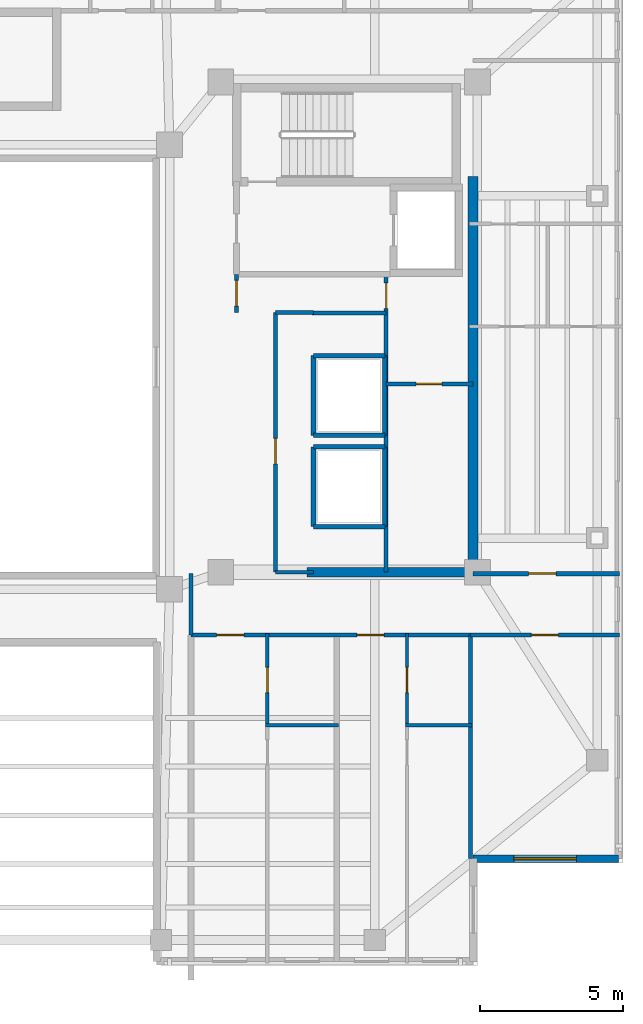
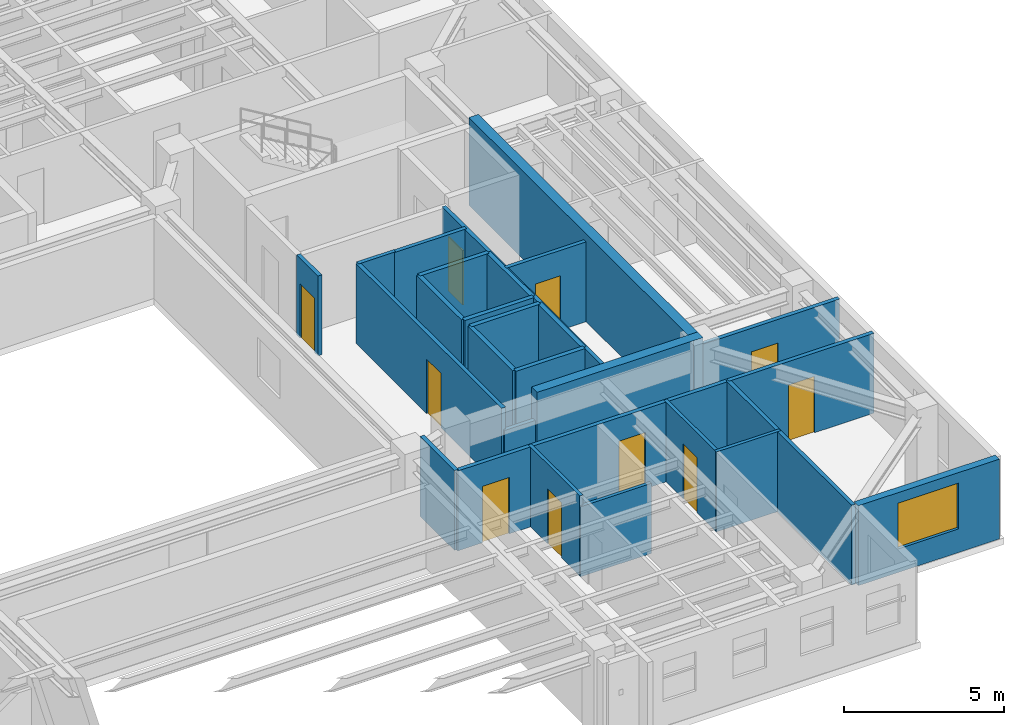
# One storey, part 7 of 13: 27 walls, 10 doors, 1 window, 11 openings.
"""IFC4 building model written with IfcOpenShell, lengths in metres."""

from ifc_helpers import new_model, si_unit, direction, frame, frame_2d, origin, place, context, subcontext, project, spatial, rectangle, extrude, material, layer, layer_set, type_object, element, fill, save


model = new_model("IFC4")

# Units and contexts
model_context = context("Model", 3, precision=1e-05, world=origin(), true_north=direction((0.0, 1.0)))
body_context = subcontext(model_context, "Body", "Model", "MODEL_VIEW")
ifc_project = project(units=[si_unit("LENGTHUNIT", "METRE"), si_unit("AREAUNIT", "SQUARE_METRE"), si_unit("VOLUMEUNIT", "CUBIC_METRE"), si_unit("PLANEANGLEUNIT", "RADIAN"), si_unit("MASSUNIT", "GRAM", prefix="KILO")], contexts=[model_context])

# Site, building, storey
site_placement = place(None, origin())
site = spatial("IfcSite", under=ifc_project, at=site_placement, CompositionType="ELEMENT")
building_placement = place(site_placement, origin())
building = spatial("IfcBuilding", under=site, at=building_placement, Name="Tarnavaz Court Tower", CompositionType="ELEMENT")
storey_placement = place(building_placement, frame((0.0, 0.0, 223.75)))
storey = spatial("IfcBuildingStorey", under=building, at=storey_placement, Name="L61", CompositionType="ELEMENT", Elevation=223.75)

# Walls
ifc_material_1 = material(Name="Concrete C50/60", Category="concrete")
ifc_layer_1 = layer(ifc_material_1, 0.35009765625)
ifc_layer_set_1 = layer_set([ifc_layer_1], Name="Concrete C50/60")
wall_type_1 = type_object("IfcWallType", Name="WL-CORE-350-C50", PredefinedType="SHEAR", material=ifc_layer_set_1)
wall_1_placement = place(storey_placement, frame((18.449951171875, -7.375, 0.0), z_axis=(0.0, 0.0, 1.0), x_axis=(0.0, 1.0, 0.0)))
element("IfcWall", 1, at=wall_1_placement, inside=storey, type_object=wall_type_1, Name="L61 East Core Shear Wall 047", PredefinedType="SHEAR", context=body_context, shape_type="SweptSolid", body=[
    extrude(rectangle(XDim=14.050048828125, YDim=0.35009765625, at=frame_2d((7.02490234375, 0.0))), origin(), (0.0, 0.0, 1.0), 3.35009765625),
])
wall_2_placement = place(storey_placement, frame((12.625, -7.199951171875, 0.0), z_axis=(0.0, 0.0, 1.0), x_axis=(1.0, 0.0, 0.0)))
element("IfcWall", 2, at=wall_2_placement, inside=storey, type_object=wall_type_1, Name="L61 East Core South Shear Wall 048", PredefinedType="SHEAR", context=body_context, shape_type="SweptSolid", body=[
    extrude(rectangle(XDim=6.0, YDim=0.35009765625, at=frame_2d((3.0, 0.0))), origin(), (0.0, 0.0, 1.0), 3.35009765625),
])

# Wall, opening, window
ifc_material_2 = material(Name="Precast Concrete C40/50", Category="concrete")
ifc_layer_2 = layer(ifc_material_2, 0.260009765625)
ifc_layer_set_2 = layer_set([ifc_layer_2], Name="Precast Concrete C40/50")
wall_type_2 = type_object("IfcWallType", Name="WL-EXT-260", PredefinedType="SOLIDWALL", material=ifc_layer_set_2)
wall_3_placement = place(storey_placement, frame((23.550048828125, -17.25, 0.0), z_axis=(0.0, 0.0, 1.0), x_axis=(-1.0, 0.0, 0.0)))
wall_3 = element("IfcWall", 3, at=wall_3_placement, inside=storey, type_object=wall_type_2, Name="L61 Exterior Terracotta Facade Wall 13", PredefinedType="SOLIDWALL", context=body_context, shape_type="SweptSolid", body=[
    extrude(rectangle(XDim=5.10009765625, YDim=0.260009765625, at=frame_2d((2.550048828125, 0.0))), origin(), (0.0, 0.0, 1.0), 3.050048828125),
])
opening_1_placement = place(wall_3_placement, frame((1.47509765625, 0.0, 0.89990234375)))
opening_1 = element("IfcOpeningElement", 4, at=opening_1_placement, cuts=wall_3, Name="Opening W07", PredefinedType="OPENING", context=body_context, shape_type="SweptSolid", body=[
    extrude(rectangle(XDim=2.199951171875, YDim=1.75, at=frame_2d((1.10009765625, 0.875))), frame((0.0, 0.139892578125, 0.0), z_axis=(0.0, -1.0, 0.0), x_axis=(1.0, 0.0, 0.0)), (0.0, 0.0, 1.0), 0.280029296875),
])
ifc_material_3 = material(Name="Double-Glazed Solar Low-E Glass", Category="glass")
window_type = type_object("IfcWindowType", Name="WN-APT-2200", PartitioningType="TRIPLE_PANEL_VERTICAL", PredefinedType="WINDOW", material=ifc_material_3)
window_placement = place(opening_1_placement, origin())
window = element("IfcWindow", 5, at=window_placement, inside=storey, type_object=window_type, Name="L61 South-East Corner Reading Room Window", OverallHeight=1.75, OverallWidth=2.199951171875, PartitioningType="SINGLE_PANEL", PredefinedType="WINDOW", context=body_context, shape_type="SweptSolid", body=[
    extrude(rectangle(XDim=2.199951171875, YDim=1.75, at=frame_2d((1.10009765625, 0.875))), frame((0.0, 0.030029296875, 0.0), z_axis=(0.0, -1.0, 0.0), x_axis=(1.0, 0.0, 0.0)), (0.0, 0.0, 1.0), 0.06005859375),
])
fill(opening_1, window)

# Wall, openings, doors
ifc_material_4 = material(Name="Gypsum Fire-Board on Acoustic Metal Stud", Category="masonry")
ifc_layer_3 = layer(ifc_material_4, 0.14990234375)
ifc_layer_set_3 = layer_set([ifc_layer_3], Name="Gypsum Fire-Board on Acoustic Metal Stud")
wall_type_3 = type_object("IfcWallType", Name="WL-FIRE-150", PredefinedType="PARTITIONING", material=ifc_layer_set_3)
wall_4_placement = place(storey_placement, frame((8.550048828125, -9.39990234375, 0.0), z_axis=(0.0, 0.0, 1.0), x_axis=(1.0, 0.0, 0.0)))
wall_4 = element("IfcWall", 6, at=wall_4_placement, inside=storey, type_object=wall_type_3, Name="L61 SE Lobby Wall 061", PredefinedType="PARTITIONING", context=body_context, shape_type="SweptSolid", body=[
    extrude(rectangle(XDim=9.800048828125, YDim=0.14990234375, at=frame_2d((4.89990234375, 0.0))), origin(), (0.0, 0.0, 1.0), 3.050048828125),
])
opening_2_placement = place(wall_4_placement, frame((0.89990234375, 0.0, 0.0)))
opening_2 = element("IfcOpeningElement", 7, at=opening_2_placement, cuts=wall_4, Name="Opening D06", PredefinedType="OPENING", context=body_context, shape_type="SweptSolid", body=[
    extrude(rectangle(XDim=0.9599609375, YDim=2.14990234375, at=frame_2d((0.47998046875, 1.074951171875))), frame((0.0, 0.0849609375, 0.0), z_axis=(0.0, -1.0, 0.0), x_axis=(1.0, 0.0, 0.0)), (0.0, 0.0, 1.0), 0.169921875),
])
opening_3_placement = place(wall_4_placement, frame((5.820068359375, 0.0, 0.0)))
opening_3 = element("IfcOpeningElement", 8, at=opening_3_placement, cuts=wall_4, Name="Opening D06", PredefinedType="OPENING", context=body_context, shape_type="SweptSolid", body=[
    extrude(rectangle(XDim=0.9599609375, YDim=2.14990234375, at=frame_2d((0.47998046875, 1.074951171875))), frame((0.0, 0.0849609375, 0.0), z_axis=(0.0, -1.0, 0.0), x_axis=(1.0, 0.0, 0.0)), (0.0, 0.0, 1.0), 0.169921875),
])
ifc_material_5 = material(Name="Fire-Rated Hardwood Timber Core", Category="wood")
door_type_1 = type_object("IfcDoorType", Name="DR-FD60-950", OperationType="NOTDEFINED", PredefinedType="DOOR", material=ifc_material_5)
door_1_placement = place(opening_2_placement, origin())
door_1 = element("IfcDoor", 9, at=door_1_placement, inside=storey, type_object=door_type_1, Name="L61 Flat 07 Entrance Door", OperationType="SINGLE_SWING_RIGHT", OverallHeight=2.14990234375, OverallWidth=0.9599609375, PredefinedType="DOOR", context=body_context, shape_type="SweptSolid", body=[
    extrude(rectangle(XDim=0.9599609375, YDim=2.14990234375, at=frame_2d((0.47998046875, 1.074951171875))), frame((0.0, 0.02490234375, 0.0), z_axis=(0.0, -1.0, 0.0), x_axis=(1.0, 0.0, 0.0)), (0.0, 0.0, 1.0), 0.050048828125),
])
fill(opening_2, door_1)
door_2_placement = place(opening_3_placement, origin())
door_2 = element("IfcDoor", 10, at=door_2_placement, inside=storey, type_object=door_type_1, Name="L61 Flat 08 Entrance Door", OperationType="SINGLE_SWING_LEFT", OverallHeight=2.14990234375, OverallWidth=0.9599609375, PredefinedType="DOOR", context=body_context, shape_type="SweptSolid", body=[
    extrude(rectangle(XDim=0.9599609375, YDim=2.14990234375, at=frame_2d((0.47998046875, 1.074951171875))), frame((0.0, 0.02490234375, 0.0), z_axis=(0.0, -1.0, 0.0), x_axis=(1.0, 0.0, 0.0)), (0.0, 0.0, 1.0), 0.050048828125),
])
fill(opening_3, door_2)

# Wall
wall_5_placement = place(storey_placement, frame((8.550048828125, -9.39990234375, 0.0), z_axis=(0.0, 0.0, 1.0), x_axis=(0.0, 1.0, 0.0)))
element("IfcWall", 11, at=wall_5_placement, inside=storey, type_object=wall_type_3, Name="L61 East Spine End Wall 063", PredefinedType="PARTITIONING", context=body_context, shape_type="SweptSolid", body=[
    extrude(rectangle(XDim=2.14990234375, YDim=0.14990234375, at=frame_2d((1.074951171875, 0.0))), origin(), (0.0, 0.0, 1.0), 3.050048828125),
])

# Wall, opening, door
wall_6_placement = place(storey_placement, frame((18.449951171875, -7.25, 0.0), z_axis=(0.0, 0.0, 1.0), x_axis=(1.0, 0.0, 0.0)))
wall_6 = element("IfcWall", 12, at=wall_6_placement, inside=storey, type_object=wall_type_3, Name="L61 Interior Partition 101", PredefinedType="PARTITIONING", context=body_context, shape_type="SweptSolid", body=[
    extrude(rectangle(XDim=5.130126953125, YDim=0.14990234375, at=frame_2d((2.56494140625, 0.0))), origin(), (0.0, 0.0, 1.0), 3.050048828125),
])
opening_4_placement = place(wall_6_placement, frame((1.949951171875, 0.0, 0.0)))
opening_4 = element("IfcOpeningElement", 13, at=opening_4_placement, cuts=wall_6, Name="Opening D06", PredefinedType="OPENING", context=body_context, shape_type="SweptSolid", body=[
    extrude(rectangle(XDim=0.9599609375, YDim=2.14990234375, at=frame_2d((0.47998046875, 1.074951171875))), frame((0.0, 0.0849609375, 0.0), z_axis=(0.0, -1.0, 0.0), x_axis=(1.0, 0.0, 0.0)), (0.0, 0.0, 1.0), 0.169921875),
])
door_3_placement = place(opening_4_placement, origin())
door_3 = element("IfcDoor", 14, at=door_3_placement, inside=storey, type_object=door_type_1, Name="L61 Flat 10 Entrance Door", OperationType="SINGLE_SWING_RIGHT", OverallHeight=2.14990234375, OverallWidth=0.9599609375, PredefinedType="DOOR", context=body_context, shape_type="SweptSolid", body=[
    extrude(rectangle(XDim=0.9599609375, YDim=2.14990234375, at=frame_2d((0.47998046875, 1.074951171875))), frame((0.0, 0.02490234375, 0.0), z_axis=(0.0, -1.0, 0.0), x_axis=(1.0, 0.0, 0.0)), (0.0, 0.0, 1.0), 0.050048828125),
])
fill(opening_4, door_3)

wall_7_placement = place(storey_placement, frame((18.35009765625, -9.39990234375, 0.0), z_axis=(0.0, 0.0, 1.0), x_axis=(1.0, 0.0, 0.0)))
wall_7 = element("IfcWall", 15, at=wall_7_placement, inside=storey, type_object=wall_type_3, Name="L61 Interior Partition 110", PredefinedType="PARTITIONING", context=body_context, shape_type="SweptSolid", body=[
    extrude(rectangle(XDim=5.22998046875, YDim=0.14990234375, at=frame_2d((2.614990234375, 0.0))), origin(), (0.0, 0.0, 1.0), 3.050048828125),
])
opening_5_placement = place(wall_7_placement, frame((2.139892578125, 0.0, 0.0)))
opening_5 = element("IfcOpeningElement", 16, at=opening_5_placement, cuts=wall_7, Name="Opening D13", PredefinedType="OPENING", context=body_context, shape_type="SweptSolid", body=[
    extrude(rectangle(XDim=0.949951171875, YDim=2.14990234375, at=frame_2d((0.47509765625, 1.074951171875))), frame((0.0, 0.0849609375, 0.0), z_axis=(0.0, -1.0, 0.0), x_axis=(1.0, 0.0, 0.0)), (0.0, 0.0, 1.0), 0.169921875),
])
ifc_material_6 = material(Name="Engineered Oak Timber", Category="wood")
door_type_2 = type_object("IfcDoorType", Name="DR-INT-950", OperationType="NOTDEFINED", PredefinedType="DOOR", material=ifc_material_6)
door_4_placement = place(opening_5_placement, origin())
door_4 = element("IfcDoor", 17, at=door_4_placement, inside=storey, type_object=door_type_2, Name="L61 SE Reading Room Door", OperationType="SINGLE_SWING_LEFT", OverallHeight=2.14990234375, OverallWidth=0.949951171875, PredefinedType="DOOR", context=body_context, shape_type="SweptSolid", body=[
    extrude(rectangle(XDim=0.949951171875, YDim=2.14990234375, at=frame_2d((0.47509765625, 1.074951171875))), frame((0.0, 0.02490234375, 0.0), z_axis=(0.0, -1.0, 0.0), x_axis=(1.0, 0.0, 0.0)), (0.0, 0.0, 1.0), 0.050048828125),
])
fill(opening_5, door_4)

ifc_material_7 = material(Name="Moisture-Resistant Gypsum Board Partition", Category="masonry")
ifc_layer_4 = layer(ifc_material_7, 0.1201171875)
ifc_layer_set_4 = layer_set([ifc_layer_4], Name="Moisture-Resistant Gypsum Board Partition")
wall_type_4 = type_object("IfcWallType", Name="WL-PART-120", PredefinedType="PARTITIONING", material=ifc_layer_set_4)
wall_8_placement = place(storey_placement, frame((11.23388671875, -12.56005859375, 0.0), z_axis=(0.0, 0.0, 1.0), x_axis=(0.0, 1.0, 0.0)))
wall_8 = element("IfcWall", 18, at=wall_8_placement, inside=storey, type_object=wall_type_4, Name="L61 Interior Partition 092", PredefinedType="PARTITIONING", context=body_context, shape_type="SweptSolid", body=[
    extrude(rectangle(XDim=3.219970703125, YDim=0.1201171875, at=frame_2d((1.60986328125, 0.0))), origin(), (0.0, 0.0, 1.0), 3.050048828125),
])
opening_6_placement = place(wall_8_placement, frame((1.139892578125, 0.0, 0.0)))
opening_6 = element("IfcOpeningElement", 19, at=opening_6_placement, cuts=wall_8, Name="Opening D14", PredefinedType="OPENING", context=body_context, shape_type="SweptSolid", body=[
    extrude(rectangle(XDim=0.8798828125, YDim=2.10009765625, at=frame_2d((0.43994140625, 1.050048828125))), frame((0.0, 0.070068359375, 0.0), z_axis=(0.0, -1.0, 0.0), x_axis=(1.0, 0.0, 0.0)), (0.0, 0.0, 1.0), 0.14013671875),
])
door_type_3 = type_object("IfcDoorType", Name="DR-INT-900", OperationType="NOTDEFINED", PredefinedType="DOOR", material=ifc_material_6)
door_5_placement = place(opening_6_placement, origin())
door_5 = element("IfcDoor", 20, at=door_5_placement, inside=storey, type_object=door_type_3, Name="L61 Flat 07 Bathroom Door", OperationType="SINGLE_SWING_RIGHT", OverallHeight=2.10009765625, OverallWidth=0.8798828125, PredefinedType="DOOR", context=body_context, shape_type="SweptSolid", body=[
    extrude(rectangle(XDim=0.8798828125, YDim=2.10009765625, at=frame_2d((0.43994140625, 1.050048828125))), frame((0.0, 0.02490234375, 0.0), z_axis=(0.0, -1.0, 0.0), x_axis=(1.0, 0.0, 0.0)), (0.0, 0.0, 1.0), 0.050048828125),
])
fill(opening_6, door_5)

# Wall
wall_9_placement = place(storey_placement, frame((11.174072265625, -12.56005859375, 0.0), z_axis=(0.0, 0.0, 1.0), x_axis=(1.0, 0.0, 0.0)))
element("IfcWall", 21, at=wall_9_placement, inside=storey, type_object=wall_type_4, Name="L61 Interior Partition 093", PredefinedType="PARTITIONING", context=body_context, shape_type="SweptSolid", body=[
    extrude(rectangle(XDim=2.555908203125, YDim=0.1201171875, at=frame_2d((1.27783203125, 0.0))), origin(), (0.0, 0.0, 1.0), 2.675048828125),
])

# Wall, opening, door
wall_10_placement = place(storey_placement, frame((16.1298828125, -12.56005859375, 0.0), z_axis=(0.0, 0.0, 1.0), x_axis=(0.0, 1.0, 0.0)))
wall_10 = element("IfcWall", 22, at=wall_10_placement, inside=storey, type_object=wall_type_4, Name="L61 Interior Partition 095", PredefinedType="PARTITIONING", context=body_context, shape_type="SweptSolid", body=[
    extrude(rectangle(XDim=3.219970703125, YDim=0.1201171875, at=frame_2d((1.60986328125, 0.0))), origin(), (0.0, 0.0, 1.0), 3.050048828125),
])
opening_7_placement = place(wall_10_placement, frame((1.139892578125, 0.0, 0.0)))
opening_7 = element("IfcOpeningElement", 23, at=opening_7_placement, cuts=wall_10, Name="Opening D14", PredefinedType="OPENING", context=body_context, shape_type="SweptSolid", body=[
    extrude(rectangle(XDim=0.8798828125, YDim=2.10009765625, at=frame_2d((0.43994140625, 1.050048828125))), frame((0.0, 0.070068359375, 0.0), z_axis=(0.0, -1.0, 0.0), x_axis=(1.0, 0.0, 0.0)), (0.0, 0.0, 1.0), 0.14013671875),
])
door_6_placement = place(opening_7_placement, origin())
door_6 = element("IfcDoor", 24, at=door_6_placement, inside=storey, type_object=door_type_3, Name="L61 Flat 08 Bathroom Door", OperationType="SINGLE_SWING_LEFT", OverallHeight=2.10009765625, OverallWidth=0.8798828125, PredefinedType="DOOR", context=body_context, shape_type="SweptSolid", body=[
    extrude(rectangle(XDim=0.8798828125, YDim=2.10009765625, at=frame_2d((0.43994140625, 1.050048828125))), frame((0.0, 0.02490234375, 0.0), z_axis=(0.0, -1.0, 0.0), x_axis=(1.0, 0.0, 0.0)), (0.0, 0.0, 1.0), 0.050048828125),
])
fill(opening_7, door_6)

# Walls
wall_11_placement = place(storey_placement, frame((16.070068359375, -12.56005859375, 0.0), z_axis=(0.0, 0.0, 1.0), x_axis=(1.0, 0.0, 0.0)))
element("IfcWall", 25, at=wall_11_placement, inside=storey, type_object=wall_type_4, Name="L61 Interior Partition 096", PredefinedType="PARTITIONING", context=body_context, shape_type="SweptSolid", body=[
    extrude(rectangle(XDim=2.33984375, YDim=0.1201171875, at=frame_2d((1.169921875, 0.0))), origin(), (0.0, 0.0, 1.0), 3.050048828125),
])
ifc_material_8 = material(Name="Gypsum Plasterboard Acoustic Partition", Category="masonry")
ifc_layer_5 = layer(ifc_material_8, 0.139892578125)
ifc_layer_set_5 = layer_set([ifc_layer_5], Name="Gypsum Plasterboard Acoustic Partition")
wall_type_5 = type_object("IfcWallType", Name="WL-PART-150", PredefinedType="PARTITIONING", material=ifc_layer_set_5)
wall_12_placement = place(storey_placement, frame((12.800048828125, 1.89990234375, 0.0), z_axis=(0.0, 0.0, 1.0), x_axis=(1.0, 0.0, 0.0)))
element("IfcWall", 26, at=wall_12_placement, inside=storey, type_object=wall_type_5, Name="L61 Interior Partition 051", PredefinedType="PARTITIONING", context=body_context, shape_type="SweptSolid", body=[
    extrude(rectangle(XDim=2.599853515625, YDim=0.139892578125, at=frame_2d((1.2998046875, 0.0))), origin(), (0.0, 0.0, 1.0), 3.050048828125),
])

# Wall, opening, door
wall_13_placement = place(storey_placement, frame((10.14990234375, 1.919921875, 0.0), z_axis=(0.0, 0.0, 1.0), x_axis=(0.0, 1.0, 0.0)))
wall_13 = element("IfcWall", 27, at=wall_13_placement, inside=storey, type_object=wall_type_5, Name="L61 Interior Partition 052", PredefinedType="PARTITIONING", context=body_context, shape_type="SweptSolid", body=[
    extrude(rectangle(XDim=1.330078125, YDim=0.139892578125, at=frame_2d((0.6650390625, 0.0))), origin(), (0.0, 0.0, 1.0), 3.050048828125),
])
opening_8_placement = place(wall_13_placement, frame((0.219970703125, 0.0, 0.0)))
opening_8 = element("IfcOpeningElement", 28, at=opening_8_placement, cuts=wall_13, Name="Opening D09", PredefinedType="OPENING", context=body_context, shape_type="SweptSolid", body=[
    extrude(rectangle(XDim=0.89990234375, YDim=2.080078125, at=frame_2d((0.449951171875, 1.0400390625))), frame((0.0, 0.079833984375, 0.0), z_axis=(0.0, -1.0, 0.0), x_axis=(1.0, 0.0, 0.0)), (0.0, 0.0, 1.0), 0.159912109375),
])
door_type_4 = type_object("IfcDoorType", Name="DR-FD30-900", OperationType="NOTDEFINED", PredefinedType="DOOR", material=ifc_material_5)
door_7_placement = place(opening_8_placement, origin())
door_7 = element("IfcDoor", 29, at=door_7_placement, inside=storey, type_object=door_type_4, Name="L61 East Core Service Lobby Door", OperationType="SINGLE_SWING_RIGHT", OverallHeight=2.080078125, OverallWidth=0.89990234375, PredefinedType="DOOR", context=body_context, shape_type="SweptSolid", body=[
    extrude(rectangle(XDim=0.89990234375, YDim=2.080078125, at=frame_2d((0.449951171875, 1.0400390625))), frame((0.0, 0.02490234375, 0.0), z_axis=(0.0, -1.0, 0.0), x_axis=(1.0, 0.0, 0.0)), (0.0, 0.0, 1.0), 0.050048828125),
])
fill(opening_8, door_7)

wall_14_placement = place(storey_placement, frame((15.39990234375, -7.199951171875, 0.0), z_axis=(0.0, 0.0, 1.0), x_axis=(0.0, 1.0, 0.0)))
wall_14 = element("IfcWall", 30, at=wall_14_placement, inside=storey, type_object=wall_type_5, Name="L61 Interior Partition 053", PredefinedType="PARTITIONING", context=body_context, shape_type="SweptSolid", body=[
    extrude(rectangle(XDim=10.449951171875, YDim=0.139892578125, at=frame_2d((5.22509765625, 0.0))), origin(), (0.0, 0.0, 1.0), 3.050048828125),
])
opening_9_placement = place(wall_14_placement, frame((9.25, 0.0, 0.0)))
opening_9 = element("IfcOpeningElement", 31, at=opening_9_placement, cuts=wall_14, Name="Opening D09", PredefinedType="OPENING", context=body_context, shape_type="SweptSolid", body=[
    extrude(rectangle(XDim=0.89990234375, YDim=2.080078125, at=frame_2d((0.449951171875, 1.0400390625))), frame((0.0, 0.079833984375, 0.0), z_axis=(0.0, -1.0, 0.0), x_axis=(1.0, 0.0, 0.0)), (0.0, 0.0, 1.0), 0.159912109375),
])
door_8_placement = place(opening_9_placement, origin())
door_8 = element("IfcDoor", 32, at=door_8_placement, inside=storey, type_object=door_type_4, Name="L61 East Wet Riser Door", OperationType="SINGLE_SWING_LEFT", OverallHeight=2.080078125, OverallWidth=0.89990234375, PredefinedType="DOOR", context=body_context, shape_type="SweptSolid", body=[
    extrude(rectangle(XDim=0.89990234375, YDim=2.080078125, at=frame_2d((0.449951171875, 1.0400390625))), frame((0.0, 0.02490234375, 0.0), z_axis=(0.0, -1.0, 0.0), x_axis=(1.0, 0.0, 0.0)), (0.0, 0.0, 1.0), 0.050048828125),
])
fill(opening_9, door_8)

wall_15_placement = place(storey_placement, frame((15.39990234375, -0.590087890625, 0.0), z_axis=(0.0, 0.0, 1.0), x_axis=(1.0, 0.0, 0.0)))
wall_15 = element("IfcWall", 33, at=wall_15_placement, inside=storey, type_object=wall_type_5, Name="L61 Interior Partition 054", PredefinedType="PARTITIONING", context=body_context, shape_type="SweptSolid", body=[
    extrude(rectangle(XDim=3.050048828125, YDim=0.139892578125, at=frame_2d((1.52490234375, 0.0))), origin(), (0.0, 0.0, 1.0), 3.050048828125),
])
opening_10_placement = place(wall_15_placement, frame((1.050048828125, 0.0, 0.0)))
opening_10 = element("IfcOpeningElement", 34, at=opening_10_placement, cuts=wall_15, Name="Opening D09", PredefinedType="OPENING", context=body_context, shape_type="SweptSolid", body=[
    extrude(rectangle(XDim=0.89990234375, YDim=2.080078125, at=frame_2d((0.449951171875, 1.0400390625))), frame((0.0, 0.079833984375, 0.0), z_axis=(0.0, -1.0, 0.0), x_axis=(1.0, 0.0, 0.0)), (0.0, 0.0, 1.0), 0.159912109375),
])
door_9_placement = place(opening_10_placement, origin())
door_9 = element("IfcDoor", 35, at=door_9_placement, inside=storey, type_object=door_type_4, Name="L61 East Electrical Plant Door", OperationType="SINGLE_SWING_RIGHT", OverallHeight=2.080078125, OverallWidth=0.89990234375, PredefinedType="DOOR", context=body_context, shape_type="SweptSolid", body=[
    extrude(rectangle(XDim=0.89990234375, YDim=2.080078125, at=frame_2d((0.449951171875, 1.0400390625))), frame((0.0, 0.02490234375, 0.0), z_axis=(0.0, -1.0, 0.0), x_axis=(1.0, 0.0, 0.0)), (0.0, 0.0, 1.0), 0.050048828125),
])
fill(opening_10, door_9)

wall_16_placement = place(storey_placement, frame((11.52001953125, -7.199951171875, 0.0), z_axis=(0.0, 0.0, 1.0), x_axis=(0.0, 1.0, 0.0)))
wall_16 = element("IfcWall", 36, at=wall_16_placement, inside=storey, type_object=wall_type_5, Name="L61 Interior Partition 055", PredefinedType="PARTITIONING", context=body_context, shape_type="SweptSolid", body=[
    extrude(rectangle(XDim=9.119873046875, YDim=0.139892578125, at=frame_2d((4.56005859375, 0.0))), origin(), (0.0, 0.0, 1.0), 3.050048828125),
])
opening_11_placement = place(wall_16_placement, frame((3.800048828125, 0.0, 0.0)))
opening_11 = element("IfcOpeningElement", 37, at=opening_11_placement, cuts=wall_16, Name="Opening D09", PredefinedType="OPENING", context=body_context, shape_type="SweptSolid", body=[
    extrude(rectangle(XDim=0.89990234375, YDim=2.080078125, at=frame_2d((0.449951171875, 1.0400390625))), frame((0.0, 0.079833984375, 0.0), z_axis=(0.0, -1.0, 0.0), x_axis=(1.0, 0.0, 0.0)), (0.0, 0.0, 1.0), 0.159912109375),
])
door_10_placement = place(opening_11_placement, origin())
door_10 = element("IfcDoor", 38, at=door_10_placement, inside=storey, type_object=door_type_4, Name="L61 East Sky Core Store Door", OperationType="SINGLE_SWING_LEFT", OverallHeight=2.080078125, OverallWidth=0.89990234375, PredefinedType="DOOR", context=body_context, shape_type="SweptSolid", body=[
    extrude(rectangle(XDim=0.89990234375, YDim=2.080078125, at=frame_2d((0.449951171875, 1.0400390625))), frame((0.0, 0.02490234375, 0.0), z_axis=(0.0, -1.0, 0.0), x_axis=(1.0, 0.0, 0.0)), (0.0, 0.0, 1.0), 0.050048828125),
])
fill(opening_11, door_10)

# Walls
wall_17_placement = place(storey_placement, frame((11.52001953125, 1.919921875, 0.0), z_axis=(0.0, 0.0, 1.0), x_axis=(1.0, 0.0, 0.0)))
element("IfcWall", 39, at=wall_17_placement, inside=storey, type_object=wall_type_5, Name="L61 Interior Partition 056", PredefinedType="PARTITIONING", context=body_context, shape_type="SweptSolid", body=[
    extrude(rectangle(XDim=1.330078125, YDim=0.139892578125, at=frame_2d((0.6650390625, 0.0))), origin(), (0.0, 0.0, 1.0), 3.050048828125),
])
wall_18_placement = place(storey_placement, frame((11.52001953125, -7.199951171875, 0.0), z_axis=(0.0, 0.0, 1.0), x_axis=(1.0, 0.0, 0.0)))
element("IfcWall", 40, at=wall_18_placement, inside=storey, type_object=wall_type_5, Name="L61 Interior Partition 057", PredefinedType="PARTITIONING", context=body_context, shape_type="SweptSolid", body=[
    extrude(rectangle(XDim=1.330078125, YDim=0.139892578125, at=frame_2d((0.6650390625, 0.0))), origin(), (0.0, 0.0, 1.0), 2.219970703125),
])
wall_19_placement = place(storey_placement, frame((18.35009765625, -17.25, 0.0), z_axis=(0.0, 0.0, 1.0), x_axis=(0.0, 1.0, 0.0)))
element("IfcWall", 41, at=wall_19_placement, inside=storey, type_object=wall_type_5, Name="L61 Interior Partition 104", PredefinedType="PARTITIONING", context=body_context, shape_type="SweptSolid", body=[
    extrude(rectangle(XDim=7.85009765625, YDim=0.139892578125, at=frame_2d((3.925048828125, 0.0))), origin(), (0.0, 0.0, 1.0), 3.050048828125),
])
ifc_material_9 = material(Name="Autoclaved Aerated Concrete Blockwork", Category="masonry")
ifc_layer_6 = layer(ifc_material_9, 0.159912109375)
ifc_layer_set_6 = layer_set([ifc_layer_6], Name="Autoclaved Aerated Concrete Blockwork")
wall_type_6 = type_object("IfcWallType", Name="WL-SHAFT-150", PredefinedType="SOLIDWALL", material=ifc_layer_set_6)
for number, where, z_axis, x_axis, name in (
    (42, (12.85009765625, -5.60009765625, 0.0), (0.0, 0.0, 1.0), (0.0, 1.0, 0.0), "L61 Lift PL-OB1 Shaft Wall 037"),
    (43, (15.35009765625, -5.60009765625, 0.0), (0.0, 0.0, 1.0), (0.0, 1.0, 0.0), "L61 Lift PL-OB1 Shaft Wall 038"),
):
    element("IfcWall", number, at=place(storey_placement, frame(where, z_axis=z_axis, x_axis=x_axis)), inside=storey, type_object=wall_type_6, Name=name, PredefinedType="SOLIDWALL", context=body_context, shape_type="SweptSolid", body=[
        extrude(rectangle(XDim=2.800048828125, YDim=0.159912109375, at=frame_2d((1.39990234375, 0.0))), origin(), (0.0, 0.0, 1.0), 3.050048828125),
    ])
for number, where, z_axis, x_axis, name in (
    (44, (12.85009765625, -5.60009765625, 0.0), (0.0, 0.0, 1.0), (1.0, 0.0, 0.0), "L61 Lift PL-OB1 Shaft Wall 039"),
    (45, (12.85009765625, -2.800048828125, 0.0), (0.0, 0.0, 1.0), (1.0, 0.0, 0.0), "L61 Lift PL-OB1 Shaft Wall 040"),
):
    element("IfcWall", number, at=place(storey_placement, frame(where, z_axis=z_axis, x_axis=x_axis)), inside=storey, type_object=wall_type_6, Name=name, PredefinedType="SOLIDWALL", context=body_context, shape_type="SweptSolid", body=[
        extrude(rectangle(XDim=2.5, YDim=0.159912109375, at=frame_2d((1.25, 0.0))), origin(), (0.0, 0.0, 1.0), 3.050048828125),
    ])
for number, where, z_axis, x_axis, name in (
    (46, (12.85009765625, -2.39990234375, 0.0), (0.0, 0.0, 1.0), (0.0, 1.0, 0.0), "L61 Lift PL-OB2 Shaft Wall 041"),
    (47, (15.35009765625, -2.39990234375, 0.0), (0.0, 0.0, 1.0), (0.0, 1.0, 0.0), "L61 Lift PL-OB2 Shaft Wall 042"),
):
    element("IfcWall", number, at=place(storey_placement, frame(where, z_axis=z_axis, x_axis=x_axis)), inside=storey, type_object=wall_type_6, Name=name, PredefinedType="SOLIDWALL", context=body_context, shape_type="SweptSolid", body=[
        extrude(rectangle(XDim=2.7998046875, YDim=0.159912109375, at=frame_2d((1.39990234375, 0.0))), origin(), (0.0, 0.0, 1.0), 3.050048828125),
    ])
for number, where, z_axis, x_axis, name in (
    (48, (12.85009765625, -2.39990234375, 0.0), (0.0, 0.0, 1.0), (1.0, 0.0, 0.0), "L61 Lift PL-OB2 Shaft Wall 043"),
    (49, (12.85009765625, 0.39990234375, 0.0), (0.0, 0.0, 1.0), (1.0, 0.0, 0.0), "L61 Lift PL-OB2 Shaft Wall 044"),
):
    element("IfcWall", number, at=place(storey_placement, frame(where, z_axis=z_axis, x_axis=x_axis)), inside=storey, type_object=wall_type_6, Name=name, PredefinedType="SOLIDWALL", context=body_context, shape_type="SweptSolid", body=[
        extrude(rectangle(XDim=2.5, YDim=0.159912109375, at=frame_2d((1.25, 0.0))), origin(), (0.0, 0.0, 1.0), 3.050048828125),
    ])

save(model, "model.ifc")
